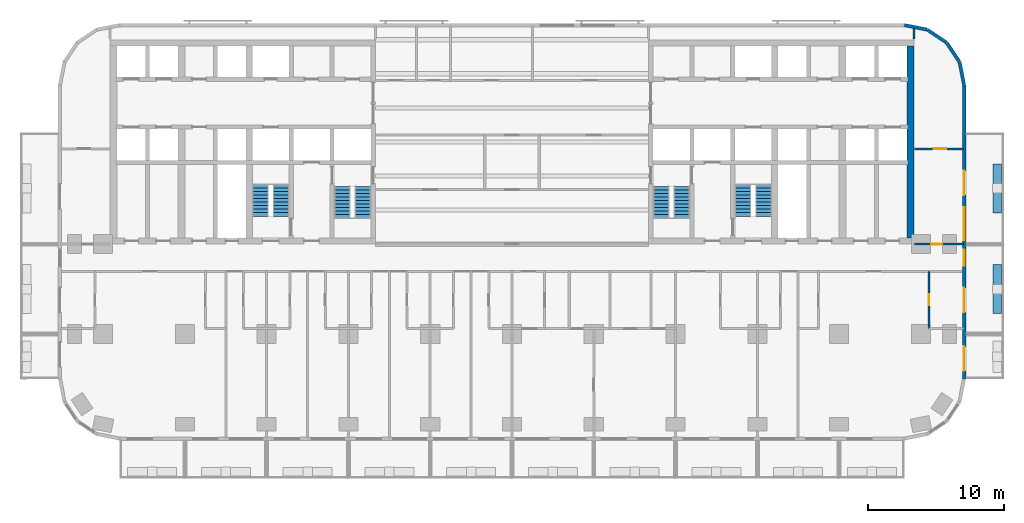
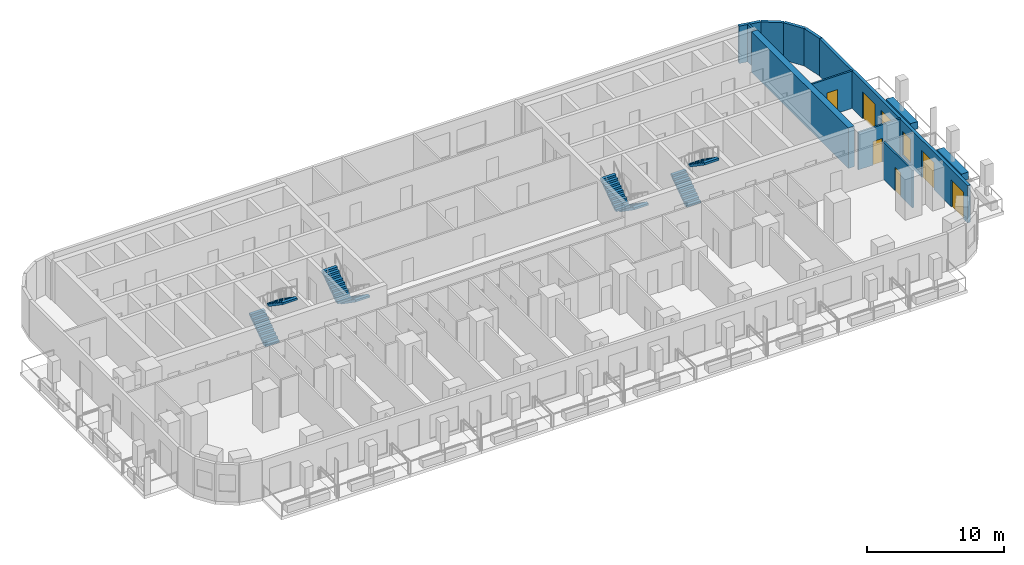
# One storey, part 8 of 13: 12 walls, 8 stair flights, 6 doors, 2 windows, 8 openings, 4 elements without a shape of their own.
"""IFC4 building model written with IfcOpenShell, lengths in metres."""

from ifc_helpers import new_model, si_unit, direction, frame, frame_2d, origin, place, context, subcontext, project, spatial, polyline, rectangle, outline, extrude, material, layer, layer_set, type_object, element, fill, aggregate, save


model = new_model("IFC4")

# Units and contexts
model_context = context("Model", 3, precision=1e-05, world=origin(), true_north=direction((0.0, 1.0)))
body_context = subcontext(model_context, "Body", "Model", "MODEL_VIEW")
ifc_project = project(units=[si_unit("LENGTHUNIT", "METRE"), si_unit("AREAUNIT", "SQUARE_METRE"), si_unit("VOLUMEUNIT", "CUBIC_METRE"), si_unit("PLANEANGLEUNIT", "RADIAN"), si_unit("MASSUNIT", "GRAM", prefix="KILO")], contexts=[model_context])

# Site, building, storey
site_placement = place(None, origin())
site = spatial("IfcSite", under=ifc_project, at=site_placement, CompositionType="ELEMENT")
building_placement = place(site_placement, origin())
building = spatial("IfcBuilding", under=site, at=building_placement, Name="Torana Hotel and Residences", CompositionType="ELEMENT")
storey_placement = place(building_placement, frame((0.0, 0.0, 60.0)))
storey = spatial("IfcBuildingStorey", under=building, at=storey_placement, Name="L14", CompositionType="ELEMENT", Elevation=60.0)

# Walls
ifc_material_1 = material(Name="Concrete C80/95", Category="concrete")
ifc_layer_1 = layer(ifc_material_1, 0.5)
ifc_layer_set_1 = layer_set([ifc_layer_1], Name="CORE WALL 500 C80/95")
wall_type_1 = type_object("IfcWallType", Name="CORE WALL 500 C80/95", PredefinedType="SHEAR", material=ifc_layer_set_1)
wall_1_placement = place(storey_placement, frame((29.25, -14.550048828125, 0.0), z_axis=(0.0, 0.0, 1.0), x_axis=(0.0, 1.0, 0.0)))
element("IfcWall", 1, at=wall_1_placement, inside=storey, type_object=wall_type_1, Name="Core wall E outer", PredefinedType="SHEAR", context=body_context, shape_type="SweptSolid", body=[
    extrude(rectangle(XDim=14.10009765625, YDim=0.5, at=frame_2d((7.050048828125, 0.0))), origin(), (0.0, 0.0, 1.0), 3.60009765625),
])
ifc_material_2 = material(Name="Black aluminium composite panel", Category="aluminium")
ifc_layer_2 = layer(ifc_material_2, 0.00390625, Name="Cladding", Category="cladding")
ifc_material_3 = material(Name="Ventilated air cavity")
ifc_layer_3 = layer(ifc_material_3, 0.0400390625, Name="Ventilated cavity", Category="cavity")
ifc_material_4 = material(Name="Mineral wool insulation")
ifc_layer_4 = layer(ifc_material_4, 0.090087890625, Name="Insulation", Category="insulation")
ifc_material_5 = material(Name="Steel S280GD", Category="steel")
ifc_layer_5 = layer(ifc_material_5, 0.092041015625, Name="Steel stud frame", Category="structure")
ifc_material_6 = material(Name="Fire rated plasterboard")
ifc_layer_6 = layer(ifc_material_6, 0.011962890625, Name="Inner board", Category="finish")
ifc_layer_7 = layer(ifc_material_6, 0.011962890625, Name="Second board", Category="finish")
ifc_layer_set_2 = layer_set([ifc_layer_2, ifc_layer_3, ifc_layer_4, ifc_layer_5, ifc_layer_6, ifc_layer_7], Name="EW1 EXTERNAL WALL BLACK METAL CLAD 250")
wall_type_2 = type_object("IfcWallType", Name="EW1 EXTERNAL WALL BLACK METAL CLAD 250", PredefinedType="SOLIDWALL", material=ifc_layer_set_2)
wall_2_placement = place(storey_placement, frame((33.172607421875, -3.30029296875, 0.0), z_axis=(0.0, 0.0, 1.0), x_axis=(-0.19513878023, 0.980775640221, 0.0)))
element("IfcWall", 2, at=wall_2_placement, inside=storey, type_object=wall_type_2, Name="External wall L14 e0.0", PredefinedType="SOLIDWALL", context=body_context, shape_type="SweptSolid", body=[
    extrude(rectangle(XDim=1.681396484375, YDim=0.25, at=frame_2d((0.8408203125, 0.0))), origin(), (0.0, 0.0, 1.0), 3.320068359375),
])
for number, where, z_axis, x_axis, name in (
    (3, (32.825927734375, -1.60595703125, 0.0), (0.0, 0.0, 1.0), (-0.55555029066, 0.831482937015, 0.0), "External wall L14 e0.1"),
    (4, (31.87109375, -0.1943359375, 0.0), (0.0, 0.0, 1.0), (-0.831482937015, 0.55555029066, 0.0), "External wall L14 e0.2"),
):
    element("IfcWall", number, at=place(storey_placement, frame(where, z_axis=z_axis, x_axis=x_axis)), inside=storey, type_object=wall_type_2, Name=name, PredefinedType="SOLIDWALL", context=body_context, shape_type="SweptSolid", body=[
        extrude(rectangle(XDim=1.65625, YDim=0.25, at=frame_2d((0.828125, 0.0))), origin(), (0.0, 0.0, 1.0), 3.320068359375),
    ])
wall_3_placement = place(storey_placement, frame((30.448974609375, 0.74462890625, 0.0), z_axis=(0.0, 0.0, 1.0), x_axis=(-0.980803419081, 0.194999110559, 0.0)))
element("IfcWall", 5, at=wall_3_placement, inside=storey, type_object=wall_type_2, Name="External wall L14 e0.3", PredefinedType="SOLIDWALL", context=body_context, shape_type="SweptSolid", body=[
    extrude(rectangle(XDim=1.681396484375, YDim=0.25, at=frame_2d((0.8408203125, 0.0))), origin(), (0.0, 0.0, 1.0), 3.320068359375),
])

# Wall, openings, doors, windows
wall_4_placement = place(storey_placement, frame((33.175048828125, -24.87548828125, 0.0), z_axis=(0.0, 0.0, 1.0), x_axis=(0.0, 1.0, 0.0)))
wall_4 = element("IfcWall", 6, at=wall_4_placement, inside=storey, type_object=wall_type_2, Name="External wall L14 e0.19", PredefinedType="SOLIDWALL", context=body_context, shape_type="SweptSolid", body=[
    extrude(rectangle(XDim=21.55078125, YDim=0.25, at=frame_2d((10.775390625, 0.0))), origin(), (0.0, 0.0, 1.0), 3.320068359375),
])
opening_1_placement = place(wall_4_placement, frame((0.575439453125, 0.0, 0.0)))
opening_1 = element("IfcOpeningElement", 7, at=opening_1_placement, cuts=wall_4, Name="Opening L14-E11", PredefinedType="OPENING", context=body_context, shape_type="SweptSolid", body=[
    extrude(rectangle(XDim=1.800048828125, YDim=2.39990234375, at=frame_2d((0.89990234375, 1.199951171875))), frame((0.0, 0.135009765625, 0.0), z_axis=(0.0, -1.0, 0.0), x_axis=(1.0, 0.0, 0.0)), (0.0, 0.0, 1.0), 0.27001953125),
])
opening_2_placement = place(wall_4_placement, frame((4.87548828125, 0.0, 0.0)))
opening_2 = element("IfcOpeningElement", 8, at=opening_2_placement, cuts=wall_4, Name="Opening L14-E12", PredefinedType="OPENING", context=body_context, shape_type="SweptSolid", body=[
    extrude(rectangle(XDim=1.800048828125, YDim=2.39990234375, at=frame_2d((0.89990234375, 1.199951171875))), frame((0.0, 0.135009765625, 0.0), z_axis=(0.0, -1.0, 0.0), x_axis=(1.0, 0.0, 0.0)), (0.0, 0.0, 1.0), 0.27001953125),
])
opening_3_placement = place(wall_4_placement, frame((8.275390625, 0.0, 0.300048828125)))
opening_3 = element("IfcOpeningElement", 9, at=opening_3_placement, cuts=wall_4, Name="Opening W7", PredefinedType="OPENING", context=body_context, shape_type="SweptSolid", body=[
    extrude(rectangle(XDim=1.199951171875, YDim=2.10009765625, at=frame_2d((0.60009765625, 1.050048828125))), frame((0.0, 0.135009765625, 0.0), z_axis=(0.0, -1.0, 0.0), x_axis=(1.0, 0.0, 0.0)), (0.0, 0.0, 1.0), 0.27001953125),
])
opening_4_placement = place(wall_4_placement, frame((10.17529296875, 0.0, 0.300048828125)))
opening_4 = element("IfcOpeningElement", 10, at=opening_4_placement, cuts=wall_4, Name="Opening W1", PredefinedType="OPENING", context=body_context, shape_type="SweptSolid", body=[
    extrude(rectangle(XDim=2.39990234375, YDim=2.10009765625, at=frame_2d((1.199951171875, 1.050048828125))), frame((0.0, 0.135009765625, 0.0), z_axis=(0.0, -1.0, 0.0), x_axis=(1.0, 0.0, 0.0)), (0.0, 0.0, 1.0), 0.27001953125),
])
opening_5_placement = place(wall_4_placement, frame((13.475341796875, 0.0, 0.0)))
opening_5 = element("IfcOpeningElement", 11, at=opening_5_placement, cuts=wall_4, Name="Opening L14-E13", PredefinedType="OPENING", context=body_context, shape_type="SweptSolid", body=[
    extrude(rectangle(XDim=1.800048828125, YDim=2.39990234375, at=frame_2d((0.89990234375, 1.199951171875))), frame((0.0, 0.135009765625, 0.0), z_axis=(0.0, -1.0, 0.0), x_axis=(1.0, 0.0, 0.0)), (0.0, 0.0, 1.0), 0.27001953125),
])
ifc_material_7 = material(Name="Dark glass in black aluminium frame", Category="aluminium")
door_type_1 = type_object("IfcDoorType", Name="DB1 BALCONY DOOR 1800x2400", OperationType="DOUBLE_DOOR_SINGLE_SWING", PredefinedType="DOOR", material=ifc_material_7)
door_1_placement = place(opening_1_placement, origin())
door_1 = element("IfcDoor", 12, at=door_1_placement, inside=storey, type_object=door_type_1, Name="Balcony door L14", OperationType="DOUBLE_DOOR_SINGLE_SWING", OverallHeight=2.39990234375, OverallWidth=1.800048828125, PredefinedType="DOOR", context=body_context, shape_type="SweptSolid", body=[
    extrude(rectangle(XDim=1.800048828125, YDim=2.39990234375, at=frame_2d((0.89990234375, 1.199951171875))), frame((0.0, 0.02490234375, 0.0), z_axis=(0.0, -1.0, 0.0), x_axis=(1.0, 0.0, 0.0)), (0.0, 0.0, 1.0), 0.050048828125),
])
fill(opening_1, door_1)
door_2_placement = place(opening_2_placement, origin())
door_2 = element("IfcDoor", 13, at=door_2_placement, inside=storey, type_object=door_type_1, Name="Balcony door L14", OperationType="DOUBLE_DOOR_SINGLE_SWING", OverallHeight=2.39990234375, OverallWidth=1.800048828125, PredefinedType="DOOR", context=body_context, shape_type="SweptSolid", body=[
    extrude(rectangle(XDim=1.800048828125, YDim=2.39990234375, at=frame_2d((0.89990234375, 1.199951171875))), frame((0.0, 0.02490234375, 0.0), z_axis=(0.0, -1.0, 0.0), x_axis=(1.0, 0.0, 0.0)), (0.0, 0.0, 1.0), 0.050048828125),
])
fill(opening_2, door_2)
door_3_placement = place(opening_5_placement, origin())
door_3 = element("IfcDoor", 14, at=door_3_placement, inside=storey, type_object=door_type_1, Name="Balcony door L14", OperationType="DOUBLE_DOOR_SINGLE_SWING", OverallHeight=2.39990234375, OverallWidth=1.800048828125, PredefinedType="DOOR", context=body_context, shape_type="SweptSolid", body=[
    extrude(rectangle(XDim=1.800048828125, YDim=2.39990234375, at=frame_2d((0.89990234375, 1.199951171875))), frame((0.0, 0.02490234375, 0.0), z_axis=(0.0, -1.0, 0.0), x_axis=(1.0, 0.0, 0.0)), (0.0, 0.0, 1.0), 0.050048828125),
])
fill(opening_5, door_3)
ifc_material_8 = material(Name="Dark glass in black aluminium frame", Category="aluminium")
window_type_1 = type_object("IfcWindowType", Name="W1 HOTEL ROOM WINDOW 2400x2100", PartitioningType="SINGLE_PANEL", PredefinedType="WINDOW", material=ifc_material_8)
window_1_placement = place(opening_4_placement, origin())
window_1 = element("IfcWindow", 15, at=window_1_placement, inside=storey, type_object=window_type_1, Name="Window L14", OverallHeight=2.10009765625, OverallWidth=2.39990234375, PartitioningType="SINGLE_PANEL", PredefinedType="WINDOW", context=body_context, shape_type="SweptSolid", body=[
    extrude(rectangle(XDim=2.39990234375, YDim=2.10009765625, at=frame_2d((1.199951171875, 1.050048828125))), frame((0.0, 0.030029296875, 0.0), z_axis=(0.0, -1.0, 0.0), x_axis=(1.0, 0.0, 0.0)), (0.0, 0.0, 1.0), 0.06005859375),
])
fill(opening_4, window_1)
ifc_material_9 = material(Name="Dark glass in black aluminium frame", Category="aluminium")
window_type_2 = type_object("IfcWindowType", Name="W7 HOTEL CORRIDOR WINDOW 1200x2100", PartitioningType="SINGLE_PANEL", PredefinedType="WINDOW", material=ifc_material_9)
window_2_placement = place(opening_3_placement, origin())
window_2 = element("IfcWindow", 16, at=window_2_placement, inside=storey, type_object=window_type_2, Name="Window L14", OverallHeight=2.10009765625, OverallWidth=1.199951171875, PartitioningType="SINGLE_PANEL", PredefinedType="WINDOW", context=body_context, shape_type="SweptSolid", body=[
    extrude(rectangle(XDim=1.199951171875, YDim=2.10009765625, at=frame_2d((0.60009765625, 1.050048828125))), frame((0.0, 0.030029296875, 0.0), z_axis=(0.0, -1.0, 0.0), x_axis=(1.0, 0.0, 0.0)), (0.0, 0.0, 1.0), 0.06005859375),
])
fill(opening_3, window_2)

# Wall, opening, door
ifc_material_10 = material(Name="Gypsum plaster")
ifc_layer_8 = layer(ifc_material_10, 0.014892578125, Name="Plaster", Category="finish")
ifc_material_11 = material(Name="Concrete blockwork", Category="masonry")
ifc_layer_9 = layer(ifc_material_11, 0.1201171875, Name="Blockwork", Category="structure")
ifc_layer_10 = layer(ifc_material_10, 0.014892578125, Name="Plaster", Category="finish")
ifc_layer_set_3 = layer_set([ifc_layer_8, ifc_layer_9, ifc_layer_10], Name="FIRE PARTITION 150 BLOCKWORK")
wall_type_3 = type_object("IfcWallType", Name="FIRE PARTITION 150 BLOCKWORK", PredefinedType="PARTITIONING", material=ifc_layer_set_3)
wall_5_placement = place(storey_placement, frame((29.550048828125, -15.0, 0.0), z_axis=(0.0, 0.0, 1.0), x_axis=(1.0, 0.0, 0.0)))
wall_5 = element("IfcWall", 17, at=wall_5_placement, inside=storey, type_object=wall_type_3, Name="Partition L14", PredefinedType="PARTITIONING", context=body_context, shape_type="SweptSolid", body=[
    extrude(rectangle(XDim=3.570068359375, YDim=0.14990234375, at=frame_2d((1.78515625, 0.0))), origin(), (0.0, 0.0, 1.0), 3.320068359375),
])
opening_6_placement = place(wall_5_placement, frame((1.205078125, 0.0, 0.0)))
opening_6 = element("IfcOpeningElement", 18, at=opening_6_placement, cuts=wall_5, Name="Opening L14-47", PredefinedType="OPENING", context=body_context, shape_type="SweptSolid", body=[
    extrude(rectangle(XDim=0.800048828125, YDim=2.10009765625, at=frame_2d((0.39990234375, 1.050048828125))), frame((0.0, 0.0849609375, 0.0), z_axis=(0.0, -1.0, 0.0), x_axis=(1.0, 0.0, 0.0)), (0.0, 0.0, 1.0), 0.169921875),
])
ifc_material_12 = material(Name="Steel S235", Category="steel")
door_type_2 = type_object("IfcDoorType", Name="STORE FIRE DOOR D16 800x2100", OperationType="SINGLE_SWING_LEFT", PredefinedType="DOOR", material=ifc_material_12)
door_4_placement = place(opening_6_placement, origin())
door_4 = element("IfcDoor", 19, at=door_4_placement, inside=storey, type_object=door_type_2, Name="Door L14", OperationType="SINGLE_SWING_RIGHT", OverallHeight=2.10009765625, OverallWidth=0.800048828125, PredefinedType="DOOR", context=body_context, shape_type="SweptSolid", body=[
    extrude(rectangle(XDim=0.800048828125, YDim=2.10009765625, at=frame_2d((0.39990234375, 1.050048828125))), frame((0.0, 0.02490234375, 0.0), z_axis=(0.0, -1.0, 0.0), x_axis=(1.0, 0.0, 0.0)), (0.0, 0.0, 1.0), 0.050048828125),
])
fill(opening_6, door_4)

ifc_material_13 = material(Name="Gypsum plasterboard")
ifc_layer_11 = layer(ifc_material_13, 0.012451171875, Name="Plasterboard", Category="finish")
ifc_layer_12 = layer(ifc_material_13, 0.012451171875, Name="Plasterboard", Category="finish")
ifc_layer_13 = layer(ifc_material_5, 0.10009765625, Name="Steel studs with mineral wool", Category="insulation")
ifc_layer_14 = layer(ifc_material_13, 0.012451171875, Name="Plasterboard", Category="finish")
ifc_layer_15 = layer(ifc_material_13, 0.012451171875, Name="Plasterboard", Category="finish")
ifc_layer_set_4 = layer_set([ifc_layer_11, ifc_layer_12, ifc_layer_13, ifc_layer_14, ifc_layer_15], Name="PARTITION 150 PLASTERBOARD")
wall_type_4 = type_object("IfcWallType", Name="PARTITION 150 PLASTERBOARD", PredefinedType="PARTITIONING", material=ifc_layer_set_4)
wall_6_placement = place(storey_placement, frame((30.60009765625, -21.199951171875, 0.0), z_axis=(0.0, 0.0, 1.0), x_axis=(0.0, 1.0, 0.0)))
wall_6 = element("IfcWall", 20, at=wall_6_placement, inside=storey, type_object=wall_type_4, Name="Partition L14", PredefinedType="PARTITIONING", context=body_context, shape_type="SweptSolid", body=[
    extrude(rectangle(XDim=4.199951171875, YDim=0.14990234375, at=frame_2d((2.10009765625, 0.0))), origin(), (0.0, 0.0, 1.0), 3.320068359375),
])
opening_7_placement = place(wall_6_placement, frame((1.719970703125, 0.0, 0.0)))
opening_7 = element("IfcOpeningElement", 21, at=opening_7_placement, cuts=wall_6, Name="Opening L14-74", PredefinedType="OPENING", context=body_context, shape_type="SweptSolid", body=[
    extrude(rectangle(XDim=0.800048828125, YDim=2.10009765625, at=frame_2d((0.39990234375, 1.050048828125))), frame((0.0, 0.0849609375, 0.0), z_axis=(0.0, -1.0, 0.0), x_axis=(1.0, 0.0, 0.0)), (0.0, 0.0, 1.0), 0.169921875),
])
ifc_material_14 = material(Name="Timber door, painted", Category="wood")
door_type_3 = type_object("IfcDoorType", Name="BATH DOOR D13 800x2100", OperationType="SINGLE_SWING_LEFT", PredefinedType="DOOR", material=ifc_material_14)
door_5_placement = place(opening_7_placement, origin())
door_5 = element("IfcDoor", 22, at=door_5_placement, inside=storey, type_object=door_type_3, Name="Door L14", OperationType="SINGLE_SWING_RIGHT", OverallHeight=2.10009765625, OverallWidth=0.800048828125, PredefinedType="DOOR", context=body_context, shape_type="SweptSolid", body=[
    extrude(rectangle(XDim=0.800048828125, YDim=2.10009765625, at=frame_2d((0.39990234375, 1.050048828125))), frame((0.0, 0.02490234375, 0.0), z_axis=(0.0, -1.0, 0.0), x_axis=(1.0, 0.0, 0.0)), (0.0, 0.0, 1.0), 0.050048828125),
])
fill(opening_7, door_5)

# Wall
wall_7_placement = place(storey_placement, frame((29.5, 0.050048828125, 0.0), z_axis=(0.0, 0.0, 1.0), x_axis=(0.0, 1.0, 0.0)))
element("IfcWall", 23, at=wall_7_placement, inside=storey, type_object=wall_type_4, Name="Partition L14", PredefinedType="PARTITIONING", context=body_context, shape_type="SweptSolid", body=[
    extrude(rectangle(XDim=0.8271484375, YDim=0.14990234375, at=frame_2d((0.41357421875, 0.0))), origin(), (0.0, 0.0, 1.0), 3.320068359375),
])

# Wall, opening, door
wall_8_placement = place(storey_placement, frame((29.550048828125, -8.0, 0.0), z_axis=(0.0, 0.0, 1.0), x_axis=(1.0, 0.0, 0.0)))
wall_8 = element("IfcWall", 24, at=wall_8_placement, inside=storey, type_object=wall_type_4, Name="Partition L14", PredefinedType="PARTITIONING", context=body_context, shape_type="SweptSolid", body=[
    extrude(rectangle(XDim=3.570068359375, YDim=0.14990234375, at=frame_2d((1.78515625, 0.0))), origin(), (0.0, 0.0, 1.0), 3.320068359375),
])
opening_8_placement = place(wall_8_placement, frame((1.39990234375, 0.0, 0.0)))
opening_8 = element("IfcOpeningElement", 25, at=opening_8_placement, cuts=wall_8, Name="Opening L14-76", PredefinedType="OPENING", context=body_context, shape_type="SweptSolid", body=[
    extrude(rectangle(XDim=0.89990234375, YDim=2.10009765625, at=frame_2d((0.449951171875, 1.050048828125))), frame((0.0, 0.0849609375, 0.0), z_axis=(0.0, -1.0, 0.0), x_axis=(1.0, 0.0, 0.0)), (0.0, 0.0, 1.0), 0.169921875),
])
ifc_material_15 = material(Name="Timber door, oiled ash", Category="wood")
door_type_4 = type_object("IfcDoorType", Name="ROOM DOOR D7 900x2100", OperationType="SINGLE_SWING_LEFT", PredefinedType="DOOR", material=ifc_material_15)
door_6_placement = place(opening_8_placement, origin())
door_6 = element("IfcDoor", 26, at=door_6_placement, inside=storey, type_object=door_type_4, Name="Door L14", OperationType="SINGLE_SWING_LEFT", OverallHeight=2.10009765625, OverallWidth=0.89990234375, PredefinedType="DOOR", context=body_context, shape_type="SweptSolid", body=[
    extrude(rectangle(XDim=0.89990234375, YDim=2.10009765625, at=frame_2d((0.449951171875, 1.050048828125))), frame((0.0, 0.02490234375, 0.0), z_axis=(0.0, -1.0, 0.0), x_axis=(1.0, 0.0, 0.0)), (0.0, 0.0, 1.0), 0.050048828125),
])
fill(opening_8, door_6)

# Walls
ifc_material_16 = material(Name="Concrete C40/50 precast", Category="concrete")
ifc_layer_16 = layer(ifc_material_16, 0.10009765625, Name="Planter shell", Category="structure")
ifc_material_17 = material(Name="Root resistant membrane")
ifc_layer_17 = layer(ifc_material_17, 0.00390625, Name="Waterproofing membrane", Category="membrane")
ifc_material_18 = material(Name="Drainage board with filter fleece")
ifc_layer_18 = layer(ifc_material_18, 0.02001953125, Name="Drainage board", Category="drainage")
ifc_material_19 = material(Name="Growing medium")
ifc_layer_19 = layer(ifc_material_19, 0.47607421875, Name="Planting substrate", Category="soil")
ifc_layer_set_5 = layer_set([ifc_layer_16, ifc_layer_17, ifc_layer_18, ifc_layer_19], Name="PL1 BALCONY PLANTER 600")
wall_type_5 = type_object("IfcWallType", Name="PL1 BALCONY PLANTER 600", PredefinedType="USERDEFINED", material=ifc_layer_set_5)
wall_9_placement = place(storey_placement, frame((35.60009765625, -16.5, 0.0), z_axis=(0.0, 0.0, 1.0), x_axis=(0.0, -1.0, 0.0)))
element("IfcWall", 27, at=wall_9_placement, inside=storey, type_object=wall_type_5, Name="Planter 15", ObjectType="PLANTER", PredefinedType="USERDEFINED", context=body_context, shape_type="SweptSolid", body=[
    extrude(rectangle(XDim=3.60009765625, YDim=0.60009765625, at=frame_2d((1.800048828125, 0.0))), origin(), (0.0, 0.0, 1.0), 0.64990234375),
])
wall_10_placement = place(storey_placement, frame((35.60009765625, -9.10009765625, 0.0), z_axis=(0.0, 0.0, 1.0), x_axis=(0.0, -1.0, 0.0)))
element("IfcWall", 28, at=wall_10_placement, inside=storey, type_object=wall_type_5, Name="Planter 16", ObjectType="PLANTER", PredefinedType="USERDEFINED", context=body_context, shape_type="SweptSolid", body=[
    extrude(rectangle(XDim=3.599853515625, YDim=0.60009765625, at=frame_2d((1.7998046875, 0.0))), origin(), (0.0, 0.0, 1.0), 0.64990234375),
])

# Stair, stair flights
ifc_material_20 = material(Name="Concrete C40/50 precast", Category="concrete")
stair_type_1 = type_object("IfcStairType", Name="STAIR ST1 HALF TURN 1200", PredefinedType="HALF_TURN_STAIR", material=ifc_material_20)
stair_1_placement = place(storey_placement, origin())
stair_1 = element("IfcStair", 29, at=stair_1_placement, inside=storey, type_object=stair_type_1, Name="Stair ST1 L14", PredefinedType="HALF_TURN_STAIR")
ifc_material_21 = material(Name="Concrete C40/50 precast", Category="concrete")
stair_flight_type = type_object("IfcStairFlightType", Name="STAIR FLIGHT 1200 PRECAST", PredefinedType="STRAIGHT", material=ifc_material_21)
stair_flight_1_placement = place(storey_placement, frame((-10.949951171875, -10.75, 0.0), z_axis=(0.0, 0.0, 1.0), x_axis=(0.0, -1.0, 0.0)))
stair_flight_1 = element("IfcStairFlight", 30, at=stair_flight_1_placement, type_object=stair_flight_type, Name="ST1 flight 1", NumberOfRisers=10, NumberOfTreads=9, PredefinedType="STRAIGHT", RiserHeight=0.18, TreadLength=0.26, context=body_context, shape_type="SweptSolid", body=[
    extrude(outline(polyline([(0.0, 0.0), (0.0, 0.179931640625), (0.260009765625, 0.179931640625), (0.260009765625, 0.360107421875), (0.52001953125, 0.360107421875), (0.52001953125, 0.5400390625), (0.780029296875, 0.5400390625), (0.780029296875, 0.719970703125), (1.0400390625, 0.719970703125), (1.0400390625, 0.89990234375), (1.300048828125, 0.89990234375), (1.300048828125, 1.080078125), (1.56005859375, 1.080078125), (1.56005859375, 1.260009765625), (1.820068359375, 1.260009765625), (1.820068359375, 1.43994140625), (2.080078125, 1.43994140625), (2.080078125, 1.6201171875), (2.340087890625, 1.6201171875), (2.340087890625, 1.800048828125), (2.340087890625, 1.437744140625), (0.263427734375, 0.0), (0.0, 0.0)])), frame((0.0, 0.60009765625, 0.0), z_axis=(0.0, -1.0, 0.0), x_axis=(1.0, 0.0, 0.0)), (0.0, 0.0, 1.0), 1.199951171875),
])
stair_flight_2_placement = place(storey_placement, frame((-12.449951171875, -13.090087890625, 1.800048828125), z_axis=(0.0, 0.0, 1.0), x_axis=(0.0, 1.0, 0.0)))
stair_flight_2 = element("IfcStairFlight", 31, at=stair_flight_2_placement, type_object=stair_flight_type, Name="ST1 flight 2", NumberOfRisers=10, NumberOfTreads=9, PredefinedType="STRAIGHT", RiserHeight=0.18, TreadLength=0.26, context=body_context, shape_type="SweptSolid", body=[
    extrude(outline(polyline([(0.0, 0.0), (0.0, 0.179931640625), (0.260009765625, 0.179931640625), (0.260009765625, 0.360107421875), (0.52001953125, 0.360107421875), (0.52001953125, 0.5400390625), (0.780029296875, 0.5400390625), (0.780029296875, 0.719970703125), (1.0400390625, 0.719970703125), (1.0400390625, 0.89990234375), (1.300048828125, 0.89990234375), (1.300048828125, 1.080078125), (1.56005859375, 1.080078125), (1.56005859375, 1.260009765625), (1.820068359375, 1.260009765625), (1.820068359375, 1.43994140625), (2.080078125, 1.43994140625), (2.080078125, 1.6201171875), (2.340087890625, 1.6201171875), (2.340087890625, 1.800048828125), (2.340087890625, 1.437744140625), (0.263427734375, 0.0), (0.0, 0.0)])), frame((0.0, 0.60009765625, 0.0), z_axis=(0.0, -1.0, 0.0), x_axis=(1.0, 0.0, 0.0)), (0.0, 0.0, 1.0), 1.199951171875),
])
aggregate(stair_1, [stair_flight_1, stair_flight_2])

ifc_material_22 = material(Name="Concrete C40/50 precast", Category="concrete")
stair_type_2 = type_object("IfcStairType", Name="STAIR ST2 HALF TURN 1200", PredefinedType="HALF_TURN_STAIR", material=ifc_material_22)
stair_2_placement = place(storey_placement, origin())
stair_2 = element("IfcStair", 32, at=stair_2_placement, inside=storey, type_object=stair_type_2, Name="Stair ST2 L14", PredefinedType="HALF_TURN_STAIR")
stair_flight_3_placement = place(storey_placement, frame((-18.449951171875, -12.949951171875, 0.0), z_axis=(0.0, 0.0, 1.0), x_axis=(0.0, 1.0, 0.0)))
stair_flight_3 = element("IfcStairFlight", 33, at=stair_flight_3_placement, type_object=stair_flight_type, Name="ST2 flight 1", NumberOfRisers=10, NumberOfTreads=9, PredefinedType="STRAIGHT", RiserHeight=0.18, TreadLength=0.26, context=body_context, shape_type="SweptSolid", body=[
    extrude(outline(polyline([(0.0, 0.0), (0.0, 0.179931640625), (0.260009765625, 0.179931640625), (0.260009765625, 0.360107421875), (0.52001953125, 0.360107421875), (0.52001953125, 0.5400390625), (0.780029296875, 0.5400390625), (0.780029296875, 0.719970703125), (1.0400390625, 0.719970703125), (1.0400390625, 0.89990234375), (1.300048828125, 0.89990234375), (1.300048828125, 1.080078125), (1.56005859375, 1.080078125), (1.56005859375, 1.260009765625), (1.820068359375, 1.260009765625), (1.820068359375, 1.43994140625), (2.080078125, 1.43994140625), (2.080078125, 1.6201171875), (2.340087890625, 1.6201171875), (2.340087890625, 1.800048828125), (2.340087890625, 1.437744140625), (0.263427734375, 0.0), (0.0, 0.0)])), frame((0.0, 0.60009765625, 0.0), z_axis=(0.0, -1.0, 0.0), x_axis=(1.0, 0.0, 0.0)), (0.0, 0.0, 1.0), 1.199951171875),
])
stair_flight_4_placement = place(storey_placement, frame((-16.949951171875, -10.610107421875, 1.800048828125), z_axis=(0.0, 0.0, 1.0), x_axis=(0.0, -1.0, 0.0)))
stair_flight_4 = element("IfcStairFlight", 34, at=stair_flight_4_placement, type_object=stair_flight_type, Name="ST2 flight 2", NumberOfRisers=10, NumberOfTreads=9, PredefinedType="STRAIGHT", RiserHeight=0.18, TreadLength=0.26, context=body_context, shape_type="SweptSolid", body=[
    extrude(outline(polyline([(0.0, 0.0), (0.0, 0.179931640625), (0.260009765625, 0.179931640625), (0.260009765625, 0.360107421875), (0.52001953125, 0.360107421875), (0.52001953125, 0.5400390625), (0.780029296875, 0.5400390625), (0.780029296875, 0.719970703125), (1.0400390625, 0.719970703125), (1.0400390625, 0.89990234375), (1.300048828125, 0.89990234375), (1.300048828125, 1.080078125), (1.56005859375, 1.080078125), (1.56005859375, 1.260009765625), (1.820068359375, 1.260009765625), (1.820068359375, 1.43994140625), (2.080078125, 1.43994140625), (2.080078125, 1.6201171875), (2.340087890625, 1.6201171875), (2.340087890625, 1.800048828125), (2.340087890625, 1.437744140625), (0.263427734375, 0.0), (0.0, 0.0)])), frame((0.0, 0.60009765625, 0.0), z_axis=(0.0, -1.0, 0.0), x_axis=(1.0, 0.0, 0.0)), (0.0, 0.0, 1.0), 1.199951171875),
])
aggregate(stair_2, [stair_flight_3, stair_flight_4])

ifc_material_23 = material(Name="Concrete C40/50 precast", Category="concrete")
stair_type_3 = type_object("IfcStairType", Name="STAIR ST3 HALF TURN 1200", PredefinedType="HALF_TURN_STAIR", material=ifc_material_23)
stair_3_placement = place(storey_placement, origin())
stair_3 = element("IfcStair", 35, at=stair_3_placement, inside=storey, type_object=stair_type_3, Name="Stair ST3 L14", PredefinedType="HALF_TURN_STAIR")
stair_flight_5_placement = place(storey_placement, frame((12.449951171875, -10.75, 0.0), z_axis=(0.0, 0.0, 1.0), x_axis=(0.0, -1.0, 0.0)))
stair_flight_5 = element("IfcStairFlight", 36, at=stair_flight_5_placement, type_object=stair_flight_type, Name="ST3 flight 1", NumberOfRisers=10, NumberOfTreads=9, PredefinedType="STRAIGHT", RiserHeight=0.18, TreadLength=0.26, context=body_context, shape_type="SweptSolid", body=[
    extrude(outline(polyline([(0.0, 0.0), (0.0, 0.179931640625), (0.260009765625, 0.179931640625), (0.260009765625, 0.360107421875), (0.52001953125, 0.360107421875), (0.52001953125, 0.5400390625), (0.780029296875, 0.5400390625), (0.780029296875, 0.719970703125), (1.0400390625, 0.719970703125), (1.0400390625, 0.89990234375), (1.300048828125, 0.89990234375), (1.300048828125, 1.080078125), (1.56005859375, 1.080078125), (1.56005859375, 1.260009765625), (1.820068359375, 1.260009765625), (1.820068359375, 1.43994140625), (2.080078125, 1.43994140625), (2.080078125, 1.6201171875), (2.340087890625, 1.6201171875), (2.340087890625, 1.800048828125), (2.340087890625, 1.437744140625), (0.263427734375, 0.0), (0.0, 0.0)])), frame((0.0, 0.60009765625, 0.0), z_axis=(0.0, -1.0, 0.0), x_axis=(1.0, 0.0, 0.0)), (0.0, 0.0, 1.0), 1.199951171875),
])
stair_flight_6_placement = place(storey_placement, frame((10.949951171875, -13.090087890625, 1.800048828125), z_axis=(0.0, 0.0, 1.0), x_axis=(0.0, 1.0, 0.0)))
stair_flight_6 = element("IfcStairFlight", 37, at=stair_flight_6_placement, type_object=stair_flight_type, Name="ST3 flight 2", NumberOfRisers=10, NumberOfTreads=9, PredefinedType="STRAIGHT", RiserHeight=0.18, TreadLength=0.26, context=body_context, shape_type="SweptSolid", body=[
    extrude(outline(polyline([(0.0, 0.0), (0.0, 0.179931640625), (0.260009765625, 0.179931640625), (0.260009765625, 0.360107421875), (0.52001953125, 0.360107421875), (0.52001953125, 0.5400390625), (0.780029296875, 0.5400390625), (0.780029296875, 0.719970703125), (1.0400390625, 0.719970703125), (1.0400390625, 0.89990234375), (1.300048828125, 0.89990234375), (1.300048828125, 1.080078125), (1.56005859375, 1.080078125), (1.56005859375, 1.260009765625), (1.820068359375, 1.260009765625), (1.820068359375, 1.43994140625), (2.080078125, 1.43994140625), (2.080078125, 1.6201171875), (2.340087890625, 1.6201171875), (2.340087890625, 1.800048828125), (2.340087890625, 1.437744140625), (0.263427734375, 0.0), (0.0, 0.0)])), frame((0.0, 0.60009765625, 0.0), z_axis=(0.0, -1.0, 0.0), x_axis=(1.0, 0.0, 0.0)), (0.0, 0.0, 1.0), 1.199951171875),
])
aggregate(stair_3, [stair_flight_5, stair_flight_6])

ifc_material_24 = material(Name="Concrete C40/50 precast", Category="concrete")
stair_type_4 = type_object("IfcStairType", Name="STAIR ST4 HALF TURN 1200", PredefinedType="HALF_TURN_STAIR", material=ifc_material_24)
stair_4_placement = place(storey_placement, origin())
stair_4 = element("IfcStair", 38, at=stair_4_placement, inside=storey, type_object=stair_type_4, Name="Stair ST4 L14", PredefinedType="HALF_TURN_STAIR")
stair_flight_7_placement = place(storey_placement, frame((16.949951171875, -12.949951171875, 0.0), z_axis=(0.0, 0.0, 1.0), x_axis=(0.0, 1.0, 0.0)))
stair_flight_7 = element("IfcStairFlight", 39, at=stair_flight_7_placement, type_object=stair_flight_type, Name="ST4 flight 1", NumberOfRisers=10, NumberOfTreads=9, PredefinedType="STRAIGHT", RiserHeight=0.18, TreadLength=0.26, context=body_context, shape_type="SweptSolid", body=[
    extrude(outline(polyline([(0.0, 0.0), (0.0, 0.179931640625), (0.260009765625, 0.179931640625), (0.260009765625, 0.360107421875), (0.52001953125, 0.360107421875), (0.52001953125, 0.5400390625), (0.780029296875, 0.5400390625), (0.780029296875, 0.719970703125), (1.0400390625, 0.719970703125), (1.0400390625, 0.89990234375), (1.300048828125, 0.89990234375), (1.300048828125, 1.080078125), (1.56005859375, 1.080078125), (1.56005859375, 1.260009765625), (1.820068359375, 1.260009765625), (1.820068359375, 1.43994140625), (2.080078125, 1.43994140625), (2.080078125, 1.6201171875), (2.340087890625, 1.6201171875), (2.340087890625, 1.800048828125), (2.340087890625, 1.437744140625), (0.263427734375, 0.0), (0.0, 0.0)])), frame((0.0, 0.60009765625, 0.0), z_axis=(0.0, -1.0, 0.0), x_axis=(1.0, 0.0, 0.0)), (0.0, 0.0, 1.0), 1.199951171875),
])
stair_flight_8_placement = place(storey_placement, frame((18.449951171875, -10.610107421875, 1.800048828125), z_axis=(0.0, 0.0, 1.0), x_axis=(0.0, -1.0, 0.0)))
stair_flight_8 = element("IfcStairFlight", 40, at=stair_flight_8_placement, type_object=stair_flight_type, Name="ST4 flight 2", NumberOfRisers=10, NumberOfTreads=9, PredefinedType="STRAIGHT", RiserHeight=0.18, TreadLength=0.26, context=body_context, shape_type="SweptSolid", body=[
    extrude(outline(polyline([(0.0, 0.0), (0.0, 0.179931640625), (0.260009765625, 0.179931640625), (0.260009765625, 0.360107421875), (0.52001953125, 0.360107421875), (0.52001953125, 0.5400390625), (0.780029296875, 0.5400390625), (0.780029296875, 0.719970703125), (1.0400390625, 0.719970703125), (1.0400390625, 0.89990234375), (1.300048828125, 0.89990234375), (1.300048828125, 1.080078125), (1.56005859375, 1.080078125), (1.56005859375, 1.260009765625), (1.820068359375, 1.260009765625), (1.820068359375, 1.43994140625), (2.080078125, 1.43994140625), (2.080078125, 1.6201171875), (2.340087890625, 1.6201171875), (2.340087890625, 1.800048828125), (2.340087890625, 1.437744140625), (0.263427734375, 0.0), (0.0, 0.0)])), frame((0.0, 0.60009765625, 0.0), z_axis=(0.0, -1.0, 0.0), x_axis=(1.0, 0.0, 0.0)), (0.0, 0.0, 1.0), 1.199951171875),
])
aggregate(stair_4, [stair_flight_7, stair_flight_8])

save(model, "model.ifc")
